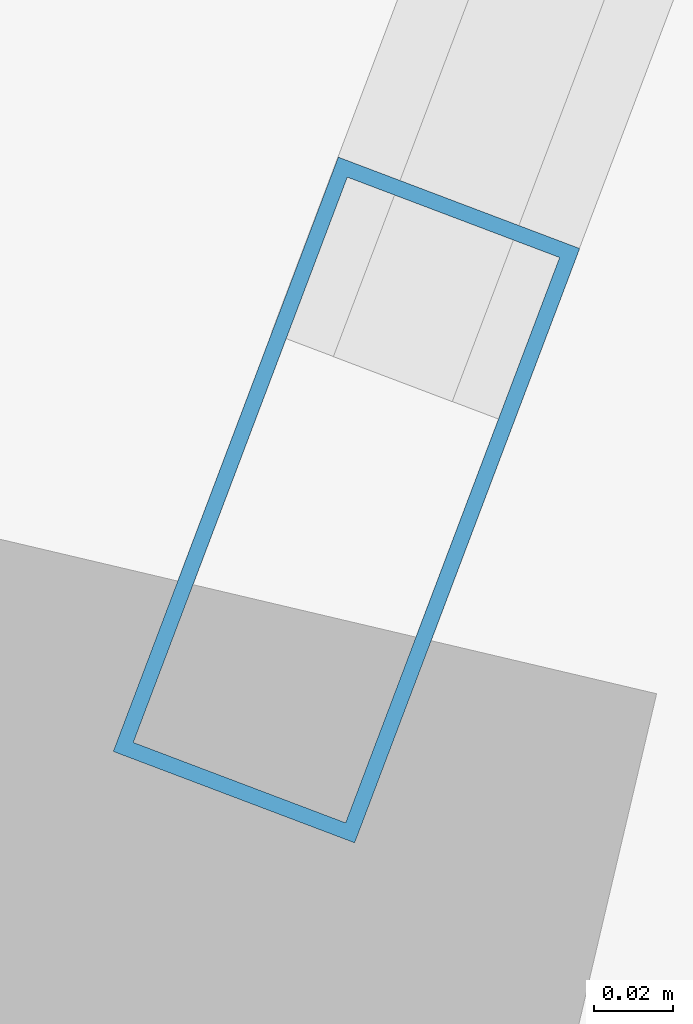
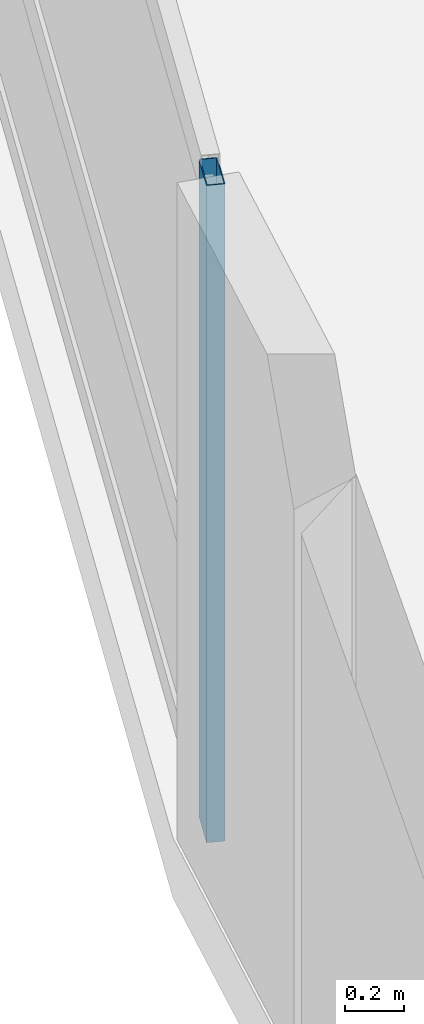
# One storey, part 2 of 24: 1 member, 1 element without a shape of its own.
"""IFC4 building model written with IfcOpenShell, lengths in metres."""

from ifc_helpers import new_model, si_unit, direction, frame, origin, origin_2d, place, context, subcontext, project, spatial, hollow_rectangle, extrude, material, layer, layer_set, material_profile, profile_set, type_object, element, aggregate, save


model = new_model("IFC4")

# Units and contexts
model_context = context("Model", 3, precision=1e-05, world=origin(), true_north=direction((0.0, 1.0)))
body_context = subcontext(model_context, "Body", "Model", "MODEL_VIEW")
ifc_project = project(units=[si_unit("LENGTHUNIT", "METRE"), si_unit("AREAUNIT", "SQUARE_METRE"), si_unit("VOLUMEUNIT", "CUBIC_METRE"), si_unit("PLANEANGLEUNIT", "RADIAN"), si_unit("MASSUNIT", "GRAM", prefix="KILO")], contexts=[model_context])

# Site, building, storey
site_placement = place(None, origin())
site = spatial("IfcSite", under=ifc_project, at=site_placement, CompositionType="ELEMENT")
building_placement = place(site_placement, origin())
building = spatial("IfcBuilding", under=site, at=building_placement, Name="Varnelok Gate Tower", CompositionType="ELEMENT")
storey_placement = place(building_placement, frame((0.0, 0.0, 98.39990234375)))
storey = spatial("IfcBuildingStorey", under=building, at=storey_placement, Name="L24", CompositionType="ELEMENT", Elevation=98.39990234375)

# Curtain wall, member
ifc_material = material(Name="Anodized Aluminum Alloy 6063-T6", Category="aluminium")
ifc_layer = layer(ifc_material, 0.179931640625)
ifc_layer_set = layer_set([ifc_layer], Name="Anodized Aluminum Alloy 6063-T6")
curtain_wall_type = type_object("IfcCurtainWallType", Name="CW3-HOTEL-VISION", PredefinedType="USERDEFINED", material=ifc_layer_set)
curtain_wall_placement = place(storey_placement, origin())
curtain_wall = element("IfcCurtainWall", 1, at=curtain_wall_placement, inside=storey, type_object=curtain_wall_type, Name="L24 West End Vision Curtain Wall", ObjectType="UNITISED CURTAIN WALL", PredefinedType="USERDEFINED")
ifc_material_profile = material_profile(ifc_material, hollow_rectangle(XDim=0.06494140625, YDim=0.159912109375, WallThickness=0.00390625, at=origin_2d()), Name="ALU160X65X4")
ifc_profile_set = profile_set([ifc_material_profile], Name="Anodized Aluminum Alloy 6063-T6")
member_type = type_object("IfcMemberType", Name="CW-MULL-160", PredefinedType="MULLION", material=ifc_profile_set)
member_placement = place(storey_placement, frame((-2.04345703125, 21.59521484375, 0.0), z_axis=(0.0, 0.0, 1.0), x_axis=(-0.935221323688, 0.354063660545, 0.0)))
member = element("IfcMember", 2, at=member_placement, type_object=member_type, Name="CW3 mullion 1", PredefinedType="MULLION", context=body_context, shape_type="SweptSolid", body=[
    extrude(hollow_rectangle(XDim=0.06494140625, YDim=0.159912109375, WallThickness=0.00390625, at=origin_2d()), origin(), (0.0, 0.0, 1.0), 2.72998046875),
])
aggregate(curtain_wall, [member])

save(model, "model.ifc")
